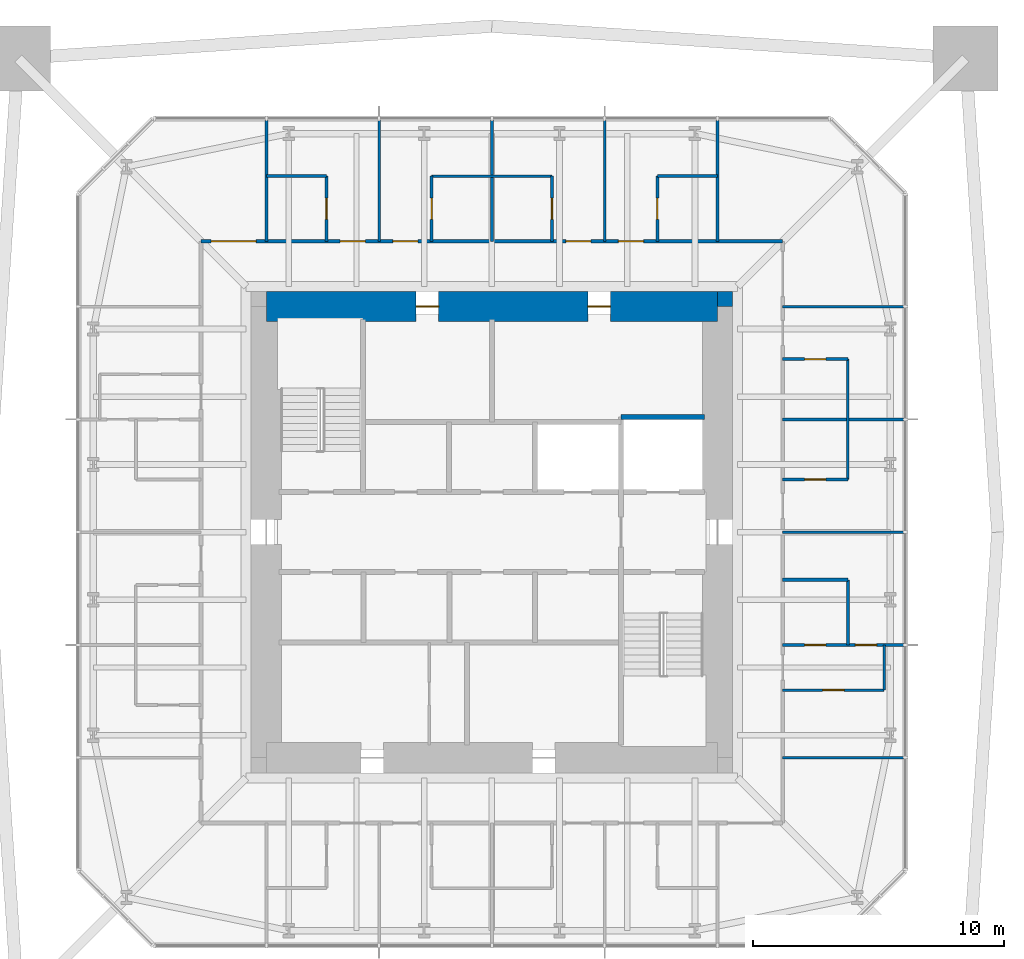
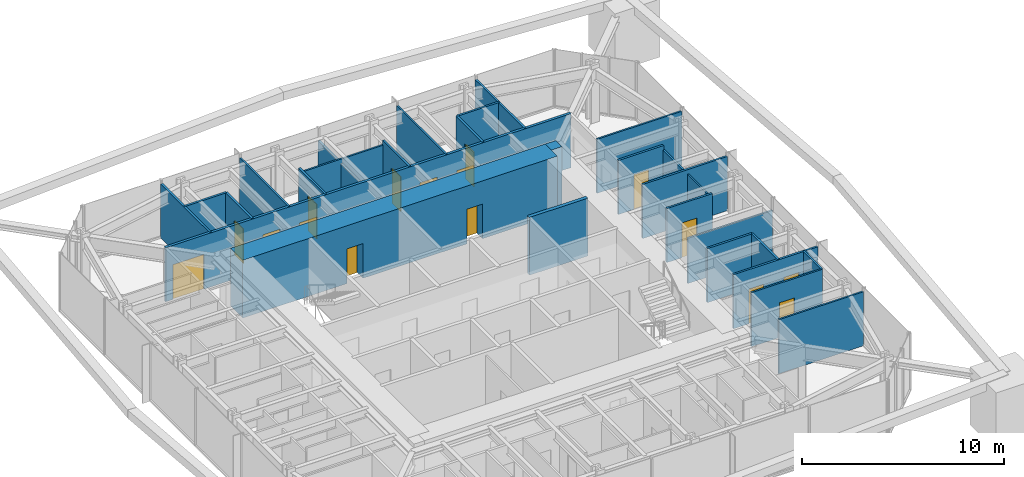
# One storey, part 9 of 11: 28 walls, 16 doors, 16 openings.
"""IFC4 building model written with IfcOpenShell, lengths in metres."""

from ifc_helpers import new_model, si_unit, direction, frame, frame_2d, origin, place, context, subcontext, project, spatial, rectangle, extrude, material, layer, layer_set, type_object, element, fill, save


model = new_model("IFC4")

# Units and contexts
model_context = context("Model", 3, precision=1e-05, world=origin(), true_north=direction((0.0, 1.0)))
body_context = subcontext(model_context, "Body", "Model", "MODEL_VIEW")
ifc_project = project(units=[si_unit("LENGTHUNIT", "METRE"), si_unit("AREAUNIT", "SQUARE_METRE"), si_unit("VOLUMEUNIT", "CUBIC_METRE"), si_unit("PLANEANGLEUNIT", "RADIAN"), si_unit("MASSUNIT", "GRAM", prefix="KILO")], contexts=[model_context])

# Site, building, storey
site_placement = place(None, origin())
site = spatial("IfcSite", under=ifc_project, at=site_placement, CompositionType="ELEMENT")
building_placement = place(site_placement, origin())
building = spatial("IfcBuilding", under=site, at=building_placement, Name="Iwan Alto Co-Living Towers", CompositionType="ELEMENT")
storey_placement = place(building_placement, frame((0.0, 0.0, 222.0)))
storey = spatial("IfcBuildingStorey", under=building, at=storey_placement, Name="L60", CompositionType="ELEMENT", Elevation=222.0)

# Wall, openings, doors
ifc_material_1 = material(Name="Gypsum board")
ifc_layer_1 = layer(ifc_material_1, 0.02490234375, Name="Board", Category="Finish")
ifc_material_2 = material(Name="Steel ASTM A1003 ST33H cold-formed studs", Category="steel")
ifc_layer_2 = layer(ifc_material_2, 0.10009765625, Name="Studs", Category="Framing")
ifc_layer_3 = layer(ifc_material_1, 0.02490234375, Name="Board", Category="Finish")
ifc_layer_set_1 = layer_set([ifc_layer_1, ifc_layer_2, ifc_layer_3], Name="CORRIDOR WALL 150")
wall_type_1 = type_object("IfcWallType", Name="CORRIDOR WALL 150", PredefinedType="PARTITIONING", material=ifc_layer_set_1)
wall_1_placement = place(storey_placement, frame((-11.60009765625, 11.60009765625, 0.0), z_axis=(0.0, 0.0, 1.0), x_axis=(1.0, 0.0, 0.0)))
wall_1 = element("IfcWall", 1, at=wall_1_placement, inside=storey, type_object=wall_type_1, Name="Partition L60", PredefinedType="PARTITIONING", context=body_context, shape_type="SweptSolid", body=[
    extrude(rectangle(XDim=23.2001953125, YDim=0.14990234375, at=frame_2d((11.60009765625, 0.0))), origin(), (0.0, 0.0, 1.0), 3.27001953125),
])
opening_1_placement = place(wall_1_placement, frame((16.64990234375, 0.0, 0.0)))
opening_1 = element("IfcOpeningElement", 2, at=opening_1_placement, cuts=wall_1, Name="Opening D3", PredefinedType="OPENING", context=body_context, shape_type="SweptSolid", body=[
    extrude(rectangle(XDim=1.0, YDim=2.10009765625, at=frame_2d((0.5, 1.050048828125))), frame((0.0, 0.0849609375, 0.0), z_axis=(0.0, -1.0, 0.0), x_axis=(1.0, 0.0, 0.0)), (0.0, 0.0, 1.0), 0.169921875),
])
opening_2_placement = place(wall_1_placement, frame((14.550048828125, 0.0, 0.0)))
opening_2 = element("IfcOpeningElement", 3, at=opening_2_placement, cuts=wall_1, Name="Opening D3", PredefinedType="OPENING", context=body_context, shape_type="SweptSolid", body=[
    extrude(rectangle(XDim=1.0, YDim=2.10009765625, at=frame_2d((0.5, 1.050048828125))), frame((0.0, 0.0849609375, 0.0), z_axis=(0.0, -1.0, 0.0), x_axis=(1.0, 0.0, 0.0)), (0.0, 0.0, 1.0), 0.169921875),
])
opening_3_placement = place(wall_1_placement, frame((7.64990234375, 0.0, 0.0)))
opening_3 = element("IfcOpeningElement", 4, at=opening_3_placement, cuts=wall_1, Name="Opening D3", PredefinedType="OPENING", context=body_context, shape_type="SweptSolid", body=[
    extrude(rectangle(XDim=1.0, YDim=2.10009765625, at=frame_2d((0.5, 1.050048828125))), frame((0.0, 0.0849609375, 0.0), z_axis=(0.0, -1.0, 0.0), x_axis=(1.0, 0.0, 0.0)), (0.0, 0.0, 1.0), 0.169921875),
])
opening_4_placement = place(wall_1_placement, frame((5.550048828125, 0.0, 0.0)))
opening_4 = element("IfcOpeningElement", 5, at=opening_4_placement, cuts=wall_1, Name="Opening D3", PredefinedType="OPENING", context=body_context, shape_type="SweptSolid", body=[
    extrude(rectangle(XDim=1.0, YDim=2.10009765625, at=frame_2d((0.5, 1.050048828125))), frame((0.0, 0.0849609375, 0.0), z_axis=(0.0, -1.0, 0.0), x_axis=(1.0, 0.0, 0.0)), (0.0, 0.0, 1.0), 0.169921875),
])
opening_5_placement = place(wall_1_placement, frame((0.39990234375, 0.0, 0.0)))
opening_5 = element("IfcOpeningElement", 6, at=opening_5_placement, cuts=wall_1, Name="Opening D9", PredefinedType="OPENING", context=body_context, shape_type="SweptSolid", body=[
    extrude(rectangle(XDim=1.800048828125, YDim=2.10009765625, at=frame_2d((0.89990234375, 1.050048828125))), frame((0.0, 0.0849609375, 0.0), z_axis=(0.0, -1.0, 0.0), x_axis=(1.0, 0.0, 0.0)), (0.0, 0.0, 1.0), 0.169921875),
])
ifc_material_3 = material(Name="Steel frame with timber leaf", Category="steel")
door_type_1 = type_object("IfcDoorType", Name="FLAT ENTRANCE DOOR FD30S 1000X2100", OperationType="SINGLE_SWING_LEFT", PredefinedType="DOOR", material=ifc_material_3)
door_1_placement = place(opening_1_placement, origin())
door_1 = element("IfcDoor", 7, at=door_1_placement, inside=storey, type_object=door_type_1, Name="Studio door L60", OperationType="SINGLE_SWING_LEFT", OverallHeight=2.10009765625, OverallWidth=1.0, PredefinedType="DOOR", context=body_context, shape_type="SweptSolid", body=[
    extrude(rectangle(XDim=1.0, YDim=2.10009765625, at=frame_2d((0.5, 1.050048828125))), frame((0.0, 0.02490234375, 0.0), z_axis=(0.0, -1.0, 0.0), x_axis=(1.0, 0.0, 0.0)), (0.0, 0.0, 1.0), 0.050048828125),
])
fill(opening_1, door_1)
door_2_placement = place(opening_2_placement, origin())
door_2 = element("IfcDoor", 8, at=door_2_placement, inside=storey, type_object=door_type_1, Name="Studio door L60", OperationType="SINGLE_SWING_LEFT", OverallHeight=2.10009765625, OverallWidth=1.0, PredefinedType="DOOR", context=body_context, shape_type="SweptSolid", body=[
    extrude(rectangle(XDim=1.0, YDim=2.10009765625, at=frame_2d((0.5, 1.050048828125))), frame((0.0, 0.02490234375, 0.0), z_axis=(0.0, -1.0, 0.0), x_axis=(1.0, 0.0, 0.0)), (0.0, 0.0, 1.0), 0.050048828125),
])
fill(opening_2, door_2)
door_3_placement = place(opening_3_placement, origin())
door_3 = element("IfcDoor", 9, at=door_3_placement, inside=storey, type_object=door_type_1, Name="Studio door L60", OperationType="SINGLE_SWING_LEFT", OverallHeight=2.10009765625, OverallWidth=1.0, PredefinedType="DOOR", context=body_context, shape_type="SweptSolid", body=[
    extrude(rectangle(XDim=1.0, YDim=2.10009765625, at=frame_2d((0.5, 1.050048828125))), frame((0.0, 0.02490234375, 0.0), z_axis=(0.0, -1.0, 0.0), x_axis=(1.0, 0.0, 0.0)), (0.0, 0.0, 1.0), 0.050048828125),
])
fill(opening_3, door_3)
door_4_placement = place(opening_4_placement, origin())
door_4 = element("IfcDoor", 10, at=door_4_placement, inside=storey, type_object=door_type_1, Name="Studio door L60", OperationType="SINGLE_SWING_LEFT", OverallHeight=2.10009765625, OverallWidth=1.0, PredefinedType="DOOR", context=body_context, shape_type="SweptSolid", body=[
    extrude(rectangle(XDim=1.0, YDim=2.10009765625, at=frame_2d((0.5, 1.050048828125))), frame((0.0, 0.02490234375, 0.0), z_axis=(0.0, -1.0, 0.0), x_axis=(1.0, 0.0, 0.0)), (0.0, 0.0, 1.0), 0.050048828125),
])
fill(opening_4, door_4)
ifc_material_4 = material(Name="Steel frame with timber leaf", Category="steel")
door_type_2 = type_object("IfcDoorType", Name="LOUNGE DOOR FD30S 1800X2100", OperationType="DOUBLE_DOOR_SINGLE_SWING", PredefinedType="DOOR", material=ifc_material_4)
door_5_placement = place(opening_5_placement, origin())
door_5 = element("IfcDoor", 11, at=door_5_placement, inside=storey, type_object=door_type_2, Name="Courtyard lounge door L60", OperationType="DOUBLE_DOOR_SINGLE_SWING", OverallHeight=2.10009765625, OverallWidth=1.800048828125, PredefinedType="DOOR", context=body_context, shape_type="SweptSolid", body=[
    extrude(rectangle(XDim=1.800048828125, YDim=2.10009765625, at=frame_2d((0.89990234375, 1.050048828125))), frame((0.0, 0.02490234375, 0.0), z_axis=(0.0, -1.0, 0.0), x_axis=(1.0, 0.0, 0.0)), (0.0, 0.0, 1.0), 0.050048828125),
])
fill(opening_5, door_5)

# Wall
ifc_layer_4 = layer(ifc_material_1, 0.012451171875, Name="Board", Category="Finish")
ifc_layer_5 = layer(ifc_material_2, 0.074951171875, Name="Studs", Category="Framing")
ifc_layer_6 = layer(ifc_material_1, 0.012451171875, Name="Board", Category="Finish")
ifc_layer_set_2 = layer_set([ifc_layer_4, ifc_layer_5, ifc_layer_6], Name="PARTITION 100")
wall_type_2 = type_object("IfcWallType", Name="PARTITION 100", PredefinedType="PARTITIONING", material=ifc_layer_set_2)
wall_2_placement = place(storey_placement, frame((11.60009765625, -9.0, 0.0), z_axis=(0.0, 0.0, 1.0), x_axis=(1.0, 0.0, 0.0)))
element("IfcWall", 12, at=wall_2_placement, inside=storey, type_object=wall_type_2, Name="Partition L60", PredefinedType="PARTITIONING", context=body_context, shape_type="SweptSolid", body=[
    extrude(rectangle(XDim=4.83984375, YDim=0.10009765625, at=frame_2d((2.419921875, 0.0))), origin(), (0.0, 0.0, 1.0), 3.27001953125),
])

# Wall, opening, door
wall_3_placement = place(storey_placement, frame((11.60009765625, -6.300048828125, 0.0), z_axis=(0.0, 0.0, 1.0), x_axis=(1.0, 0.0, 0.0)))
wall_3 = element("IfcWall", 13, at=wall_3_placement, inside=storey, type_object=wall_type_2, Name="Partition L60", PredefinedType="PARTITIONING", context=body_context, shape_type="SweptSolid", body=[
    extrude(rectangle(XDim=4.0498046875, YDim=0.10009765625, at=frame_2d((2.02490234375, 0.0))), origin(), (0.0, 0.0, 1.0), 3.27001953125),
])
opening_6_placement = place(wall_3_placement, frame((1.60009765625, 0.0, 0.0)))
opening_6 = element("IfcOpeningElement", 14, at=opening_6_placement, cuts=wall_3, Name="Opening D2", PredefinedType="OPENING", context=body_context, shape_type="SweptSolid", body=[
    extrude(rectangle(XDim=0.85009765625, YDim=2.10009765625, at=frame_2d((0.425048828125, 1.050048828125))), frame((0.0, 0.06005859375, 0.0), z_axis=(0.0, -1.0, 0.0), x_axis=(1.0, 0.0, 0.0)), (0.0, 0.0, 1.0), 0.1201171875),
])
ifc_material_5 = material(Name="Timber leaf in steel frame", Category="steel")
door_type_3 = type_object("IfcDoorType", Name="ROOM DOOR 850X2100", OperationType="SINGLE_SWING_LEFT", PredefinedType="DOOR", material=ifc_material_5)
door_6_placement = place(opening_6_placement, frame((0.85009765625, 0.0, 0.0), z_axis=(0.0, 0.0, 1.0), x_axis=(-1.0, 0.0, 0.0)))
door_6 = element("IfcDoor", 15, at=door_6_placement, inside=storey, type_object=door_type_3, Name="Apartment foyer door L60", OperationType="SINGLE_SWING_RIGHT", OverallHeight=2.10009765625, OverallWidth=0.85009765625, PredefinedType="DOOR", context=body_context, shape_type="SweptSolid", body=[
    extrude(rectangle(XDim=0.85009765625, YDim=2.10009765625, at=frame_2d((0.425048828125, 1.050048828125))), frame((0.0, 0.02490234375, 0.0), z_axis=(0.0, -1.0, 0.0), x_axis=(1.0, 0.0, 0.0)), (0.0, 0.0, 1.0), 0.050048828125),
])
fill(opening_6, door_6)

# Walls
wall_4_placement = place(storey_placement, frame((11.60009765625, 0.0, 0.0), z_axis=(0.0, 0.0, 1.0), x_axis=(1.0, 0.0, 0.0)))
element("IfcWall", 16, at=wall_4_placement, inside=storey, type_object=wall_type_2, Name="Partition L60", PredefinedType="PARTITIONING", context=body_context, shape_type="SweptSolid", body=[
    extrude(rectangle(XDim=4.83984375, YDim=0.10009765625, at=frame_2d((2.419921875, 0.0))), origin(), (0.0, 0.0, 1.0), 2.736572265625),
])
wall_5_placement = place(storey_placement, frame((11.60009765625, 9.0, 0.0), z_axis=(0.0, 0.0, 1.0), x_axis=(1.0, 0.0, 0.0)))
element("IfcWall", 17, at=wall_5_placement, inside=storey, type_object=wall_type_2, Name="Partition L60", PredefinedType="PARTITIONING", context=body_context, shape_type="SweptSolid", body=[
    extrude(rectangle(XDim=4.83984375, YDim=0.10009765625, at=frame_2d((2.419921875, 0.0))), origin(), (0.0, 0.0, 1.0), 3.27001953125),
])
wall_6_placement = place(storey_placement, frame((-2.39990234375, 14.199951171875, 0.0), z_axis=(0.0, 0.0, 1.0), x_axis=(1.0, 0.0, 0.0)))
element("IfcWall", 18, at=wall_6_placement, inside=storey, type_object=wall_type_2, Name="Partition L60", PredefinedType="PARTITIONING", context=body_context, shape_type="SweptSolid", body=[
    extrude(rectangle(XDim=4.7998046875, YDim=0.10009765625, at=frame_2d((2.39990234375, 0.0))), origin(), (0.0, 0.0, 1.0), 3.0),
])
wall_7_placement = place(storey_placement, frame((15.64990234375, -6.300048828125, 0.0), z_axis=(0.0, 0.0, 1.0), x_axis=(0.0, 1.0, 0.0)))
element("IfcWall", 19, at=wall_7_placement, inside=storey, type_object=wall_type_2, Name="Partition L60", PredefinedType="PARTITIONING", context=body_context, shape_type="SweptSolid", body=[
    extrude(rectangle(XDim=1.800048828125, YDim=0.10009765625, at=frame_2d((0.89990234375, 0.0))), origin(), (0.0, 0.0, 1.0), 3.27001953125),
])
wall_8_placement = place(storey_placement, frame((14.199951171875, 2.10009765625, 0.0), z_axis=(0.0, 0.0, 1.0), x_axis=(0.0, 1.0, 0.0)))
element("IfcWall", 20, at=wall_8_placement, inside=storey, type_object=wall_type_2, Name="Partition L60", PredefinedType="PARTITIONING", context=body_context, shape_type="SweptSolid", body=[
    extrude(rectangle(XDim=4.7998046875, YDim=0.10009765625, at=frame_2d((2.39990234375, 0.0))), origin(), (0.0, 0.0, 1.0), 3.0),
])
for number, where, z_axis, x_axis, name in (
    (21, (4.5, 11.60009765625, 0.0), (0.0, 0.0, 1.0), (0.0, 1.0, 0.0), "Partition L60"),
    (22, (-4.5, 11.60009765625, 0.0), (0.0, 0.0, 1.0), (0.0, 1.0, 0.0), "Partition L60"),
):
    element("IfcWall", number, at=place(storey_placement, frame(where, z_axis=z_axis, x_axis=x_axis)), inside=storey, type_object=wall_type_2, Name=name, PredefinedType="PARTITIONING", context=body_context, shape_type="SweptSolid", body=[
        extrude(rectangle(XDim=4.83984375, YDim=0.10009765625, at=frame_2d((2.419921875, 0.0))), origin(), (0.0, 0.0, 1.0), 3.27001953125),
    ])
ifc_material_6 = material(Name="Concrete f'c 70 MPa", Category="concrete")
ifc_layer_7 = layer(ifc_material_6, 0.199951171875)
ifc_layer_set_3 = layer_set([ifc_layer_7], Name="SHAFT WALL 200")
wall_type_3 = type_object("IfcWallType", Name="SHAFT WALL 200", PredefinedType="SOLIDWALL", material=ifc_layer_set_3)
wall_9_placement = place(storey_placement, frame((5.14990234375, 4.60009765625, 0.0), z_axis=(0.0, 0.0, 1.0), x_axis=(1.0, 0.0, 0.0)))
element("IfcWall", 23, at=wall_9_placement, inside=storey, type_object=wall_type_3, Name="Shaft wall L60", PredefinedType="SOLIDWALL", context=body_context, shape_type="SweptSolid", body=[
    extrude(rectangle(XDim=3.340087890625, YDim=0.199951171875, at=frame_2d((1.669921875, 0.0))), origin(), (0.0, 0.0, 1.0), 3.5),
])
ifc_material_7 = material(Name="Concrete f'c 70 MPa", Category="concrete")
ifc_layer_8 = layer(ifc_material_7, 0.60009765625)
ifc_layer_set_4 = layer_set([ifc_layer_8], Name="T1 CORE CORNER FILL 600")
wall_type_4 = type_object("IfcWallType", Name="T1 CORE CORNER FILL 600", PredefinedType="SOLIDWALL", material=ifc_layer_set_4)
wall_10_placement = place(storey_placement, frame((9.0, 9.300048828125, 0.0), z_axis=(0.0, 0.0, 1.0), x_axis=(1.0, 0.0, 0.0)))
element("IfcWall", 24, at=wall_10_placement, inside=storey, type_object=wall_type_4, Name="T1 core corner NE L60", PredefinedType="SOLIDWALL", context=body_context, shape_type="SweptSolid", body=[
    extrude(rectangle(XDim=0.60009765625, YDim=0.60009765625, at=frame_2d((0.300048828125, 0.0))), origin(), (0.0, 0.0, 1.0), 3.5),
])

# Wall, openings, doors
ifc_material_8 = material(Name="Concrete f'c 70 MPa", Category="concrete")
ifc_layer_9 = layer(ifc_material_8, 1.199951171875)
ifc_layer_set_5 = layer_set([ifc_layer_9], Name="T1 CORE WALL 1200")
wall_type_5 = type_object("IfcWallType", Name="T1 CORE WALL 1200", PredefinedType="SHEAR", material=ifc_layer_set_5)
wall_11_placement = place(storey_placement, frame((9.0, 9.0, 0.0), z_axis=(0.0, 0.0, 1.0), x_axis=(-1.0, 0.0, 0.0)))
wall_11 = element("IfcWall", 25, at=wall_11_placement, inside=storey, type_object=wall_type_5, Name="T1 core wall N L60", PredefinedType="SHEAR", context=body_context, shape_type="SweptSolid", body=[
    extrude(rectangle(XDim=18.0, YDim=1.199951171875, at=frame_2d((9.0, 0.0))), origin(), (0.0, 0.0, 1.0), 3.5),
])
opening_7_placement = place(wall_11_placement, frame((11.125, 0.0, 0.0)))
opening_7 = element("IfcOpeningElement", 26, at=opening_7_placement, cuts=wall_11, Name="Opening D8", PredefinedType="OPENING", context=body_context, shape_type="SweptSolid", body=[
    extrude(rectangle(XDim=0.89990234375, YDim=2.10009765625, at=frame_2d((0.449951171875, 1.050048828125))), frame((0.0, 0.60986328125, 0.0), z_axis=(0.0, -1.0, 0.0), x_axis=(1.0, 0.0, 0.0)), (0.0, 0.0, 1.0), 1.219970703125),
])
opening_8_placement = place(wall_11_placement, frame((4.27490234375, 0.0, 0.0)))
opening_8 = element("IfcOpeningElement", 27, at=opening_8_placement, cuts=wall_11, Name="Opening D8", PredefinedType="OPENING", context=body_context, shape_type="SweptSolid", body=[
    extrude(rectangle(XDim=0.89990234375, YDim=2.10009765625, at=frame_2d((0.449951171875, 1.050048828125))), frame((0.0, 0.60986328125, 0.0), z_axis=(0.0, -1.0, 0.0), x_axis=(1.0, 0.0, 0.0)), (0.0, 0.0, 1.0), 1.219970703125),
])
ifc_material_9 = material(Name="Steel frame with timber leaf", Category="steel")
door_type_4 = type_object("IfcDoorType", Name="RISER DOOR FD120 900X2100", OperationType="SINGLE_SWING_LEFT", PredefinedType="DOOR", material=ifc_material_9)
door_7_placement = place(opening_7_placement, origin())
door_7 = element("IfcDoor", 28, at=door_7_placement, inside=storey, type_object=door_type_4, Name="Electrical riser core door L60", OperationType="SINGLE_SWING_RIGHT", OverallHeight=2.10009765625, OverallWidth=0.89990234375, PredefinedType="DOOR", context=body_context, shape_type="SweptSolid", body=[
    extrude(rectangle(XDim=0.89990234375, YDim=2.10009765625, at=frame_2d((0.449951171875, 1.050048828125))), frame((0.0, 0.02490234375, 0.0), z_axis=(0.0, -1.0, 0.0), x_axis=(1.0, 0.0, 0.0)), (0.0, 0.0, 1.0), 0.050048828125),
])
fill(opening_7, door_7)
door_8_placement = place(opening_8_placement, origin())
door_8 = element("IfcDoor", 29, at=door_8_placement, inside=storey, type_object=door_type_4, Name="Water and drainage riser core door L60", OperationType="SINGLE_SWING_RIGHT", OverallHeight=2.10009765625, OverallWidth=0.89990234375, PredefinedType="DOOR", context=body_context, shape_type="SweptSolid", body=[
    extrude(rectangle(XDim=0.89990234375, YDim=2.10009765625, at=frame_2d((0.449951171875, 1.050048828125))), frame((0.0, 0.02490234375, 0.0), z_axis=(0.0, -1.0, 0.0), x_axis=(1.0, 0.0, 0.0)), (0.0, 0.0, 1.0), 0.050048828125),
])
fill(opening_8, door_8)

ifc_material_10 = material(Name="Cement board")
ifc_layer_10 = layer(ifc_material_10, 0.012451171875, Name="Board", Category="Finish")
ifc_layer_11 = layer(ifc_material_2, 0.094970703125, Name="Studs", Category="Framing")
ifc_layer_12 = layer(ifc_material_10, 0.012451171875, Name="Board", Category="Finish")
ifc_layer_set_6 = layer_set([ifc_layer_10, ifc_layer_11, ifc_layer_12], Name="WET AREA PARTITION 120")
wall_type_6 = type_object("IfcWallType", Name="WET AREA PARTITION 120", PredefinedType="PARTITIONING", material=ifc_layer_set_6)
wall_12_placement = place(storey_placement, frame((11.60009765625, -4.5, 0.0), z_axis=(0.0, 0.0, 1.0), x_axis=(1.0, 0.0, 0.0)))
wall_12 = element("IfcWall", 30, at=wall_12_placement, inside=storey, type_object=wall_type_6, Name="Partition L60", PredefinedType="PARTITIONING", context=body_context, shape_type="SweptSolid", body=[
    extrude(rectangle(XDim=4.83984375, YDim=0.1201171875, at=frame_2d((2.419921875, 0.0))), origin(), (0.0, 0.0, 1.0), 3.27001953125),
])
opening_9_placement = place(wall_12_placement, frame((2.89990234375, 0.0, 0.0)))
opening_9 = element("IfcOpeningElement", 31, at=opening_9_placement, cuts=wall_12, Name="Opening D2", PredefinedType="OPENING", context=body_context, shape_type="SweptSolid", body=[
    extrude(rectangle(XDim=0.85009765625, YDim=2.10009765625, at=frame_2d((0.425048828125, 1.050048828125))), frame((0.0, 0.070068359375, 0.0), z_axis=(0.0, -1.0, 0.0), x_axis=(1.0, 0.0, 0.0)), (0.0, 0.0, 1.0), 0.14013671875),
])
opening_10_placement = place(wall_12_placement, frame((0.875, 0.0, 0.0)))
opening_10 = element("IfcOpeningElement", 32, at=opening_10_placement, cuts=wall_12, Name="Opening D2", PredefinedType="OPENING", context=body_context, shape_type="SweptSolid", body=[
    extrude(rectangle(XDim=0.85009765625, YDim=2.10009765625, at=frame_2d((0.425048828125, 1.050048828125))), frame((0.0, 0.070068359375, 0.0), z_axis=(0.0, -1.0, 0.0), x_axis=(1.0, 0.0, 0.0)), (0.0, 0.0, 1.0), 0.14013671875),
])
door_9_placement = place(opening_9_placement, origin())
door_9 = element("IfcDoor", 33, at=door_9_placement, inside=storey, type_object=door_type_3, Name="Bedroom door L60", OperationType="SINGLE_SWING_LEFT", OverallHeight=2.10009765625, OverallWidth=0.85009765625, PredefinedType="DOOR", context=body_context, shape_type="SweptSolid", body=[
    extrude(rectangle(XDim=0.85009765625, YDim=2.10009765625, at=frame_2d((0.425048828125, 1.050048828125))), frame((0.0, 0.02490234375, 0.0), z_axis=(0.0, -1.0, 0.0), x_axis=(1.0, 0.0, 0.0)), (0.0, 0.0, 1.0), 0.050048828125),
])
fill(opening_9, door_9)
door_10_placement = place(opening_10_placement, origin())
door_10 = element("IfcDoor", 34, at=door_10_placement, inside=storey, type_object=door_type_3, Name="Accessible bathroom door L60", OperationType="SINGLE_SWING_LEFT", OverallHeight=2.10009765625, OverallWidth=0.85009765625, PredefinedType="DOOR", context=body_context, shape_type="SweptSolid", body=[
    extrude(rectangle(XDim=0.85009765625, YDim=2.10009765625, at=frame_2d((0.425048828125, 1.050048828125))), frame((0.0, 0.02490234375, 0.0), z_axis=(0.0, -1.0, 0.0), x_axis=(1.0, 0.0, 0.0)), (0.0, 0.0, 1.0), 0.050048828125),
])
fill(opening_10, door_10)

# Wall
wall_13_placement = place(storey_placement, frame((11.60009765625, -1.89990234375, 0.0), z_axis=(0.0, 0.0, 1.0), x_axis=(1.0, 0.0, 0.0)))
element("IfcWall", 35, at=wall_13_placement, inside=storey, type_object=wall_type_6, Name="Partition L60", PredefinedType="PARTITIONING", context=body_context, shape_type="SweptSolid", body=[
    extrude(rectangle(XDim=2.599853515625, YDim=0.1201171875, at=frame_2d((1.2998046875, 0.0))), origin(), (0.0, 0.0, 1.0), 3.27001953125),
])

# Wall, opening, door
wall_14_placement = place(storey_placement, frame((11.60009765625, 2.10009765625, 0.0), z_axis=(0.0, 0.0, 1.0), x_axis=(1.0, 0.0, 0.0)))
wall_14 = element("IfcWall", 36, at=wall_14_placement, inside=storey, type_object=wall_type_6, Name="Partition L60", PredefinedType="PARTITIONING", context=body_context, shape_type="SweptSolid", body=[
    extrude(rectangle(XDim=2.599853515625, YDim=0.1201171875, at=frame_2d((1.2998046875, 0.0))), origin(), (0.0, 0.0, 1.0), 3.27001953125),
])
opening_11_placement = place(wall_14_placement, frame((0.875, 0.0, 0.0)))
opening_11 = element("IfcOpeningElement", 37, at=opening_11_placement, cuts=wall_14, Name="Opening D2", PredefinedType="OPENING", context=body_context, shape_type="SweptSolid", body=[
    extrude(rectangle(XDim=0.85009765625, YDim=2.10009765625, at=frame_2d((0.425048828125, 1.050048828125))), frame((0.0, 0.070068359375, 0.0), z_axis=(0.0, -1.0, 0.0), x_axis=(1.0, 0.0, 0.0)), (0.0, 0.0, 1.0), 0.14013671875),
])
door_11_placement = place(opening_11_placement, frame((0.85009765625, 0.0, 0.0), z_axis=(0.0, 0.0, 1.0), x_axis=(-1.0, 0.0, 0.0)))
door_11 = element("IfcDoor", 38, at=door_11_placement, inside=storey, type_object=door_type_3, Name="En-suite shower room door L60", OperationType="SINGLE_SWING_RIGHT", OverallHeight=2.10009765625, OverallWidth=0.85009765625, PredefinedType="DOOR", context=body_context, shape_type="SweptSolid", body=[
    extrude(rectangle(XDim=0.85009765625, YDim=2.10009765625, at=frame_2d((0.425048828125, 1.050048828125))), frame((0.0, 0.02490234375, 0.0), z_axis=(0.0, -1.0, 0.0), x_axis=(1.0, 0.0, 0.0)), (0.0, 0.0, 1.0), 0.050048828125),
])
fill(opening_11, door_11)

# Wall
wall_15_placement = place(storey_placement, frame((11.60009765625, 4.5, 0.0), z_axis=(0.0, 0.0, 1.0), x_axis=(1.0, 0.0, 0.0)))
element("IfcWall", 39, at=wall_15_placement, inside=storey, type_object=wall_type_6, Name="Partition L60", PredefinedType="PARTITIONING", context=body_context, shape_type="SweptSolid", body=[
    extrude(rectangle(XDim=4.83984375, YDim=0.1201171875, at=frame_2d((2.419921875, 0.0))), origin(), (0.0, 0.0, 1.0), 3.27001953125),
])

# Wall, opening, door
wall_16_placement = place(storey_placement, frame((11.60009765625, 6.89990234375, 0.0), z_axis=(0.0, 0.0, 1.0), x_axis=(1.0, 0.0, 0.0)))
wall_16 = element("IfcWall", 40, at=wall_16_placement, inside=storey, type_object=wall_type_6, Name="Partition L60", PredefinedType="PARTITIONING", context=body_context, shape_type="SweptSolid", body=[
    extrude(rectangle(XDim=2.599853515625, YDim=0.1201171875, at=frame_2d((1.2998046875, 0.0))), origin(), (0.0, 0.0, 1.0), 3.27001953125),
])
opening_12_placement = place(wall_16_placement, frame((0.875, 0.0, 0.0)))
opening_12 = element("IfcOpeningElement", 41, at=opening_12_placement, cuts=wall_16, Name="Opening D2", PredefinedType="OPENING", context=body_context, shape_type="SweptSolid", body=[
    extrude(rectangle(XDim=0.85009765625, YDim=2.10009765625, at=frame_2d((0.425048828125, 1.050048828125))), frame((0.0, 0.070068359375, 0.0), z_axis=(0.0, -1.0, 0.0), x_axis=(1.0, 0.0, 0.0)), (0.0, 0.0, 1.0), 0.14013671875),
])
door_12_placement = place(opening_12_placement, origin())
door_12 = element("IfcDoor", 42, at=door_12_placement, inside=storey, type_object=door_type_3, Name="En-suite shower room door L60", OperationType="SINGLE_SWING_LEFT", OverallHeight=2.10009765625, OverallWidth=0.85009765625, PredefinedType="DOOR", context=body_context, shape_type="SweptSolid", body=[
    extrude(rectangle(XDim=0.85009765625, YDim=2.10009765625, at=frame_2d((0.425048828125, 1.050048828125))), frame((0.0, 0.02490234375, 0.0), z_axis=(0.0, -1.0, 0.0), x_axis=(1.0, 0.0, 0.0)), (0.0, 0.0, 1.0), 0.050048828125),
])
fill(opening_12, door_12)

# Walls
for number, where, z_axis, x_axis, name in (
    (43, (-9.0, 14.199951171875, 0.0), (0.0, 0.0, 1.0), (1.0, 0.0, 0.0), "Partition L60"),
    (44, (6.60009765625, 14.199951171875, 0.0), (0.0, 0.0, 1.0), (1.0, 0.0, 0.0), "Partition L60"),
):
    element("IfcWall", number, at=place(storey_placement, frame(where, z_axis=z_axis, x_axis=x_axis)), inside=storey, type_object=wall_type_6, Name=name, PredefinedType="PARTITIONING", context=body_context, shape_type="SweptSolid", body=[
        extrude(rectangle(XDim=2.39990234375, YDim=0.1201171875, at=frame_2d((1.199951171875, 0.0))), origin(), (0.0, 0.0, 1.0), 3.27001953125),
    ])
wall_17_placement = place(storey_placement, frame((14.199951171875, -4.5, 0.0), z_axis=(0.0, 0.0, 1.0), x_axis=(0.0, 1.0, 0.0)))
element("IfcWall", 45, at=wall_17_placement, inside=storey, type_object=wall_type_6, Name="Partition L60", PredefinedType="PARTITIONING", context=body_context, shape_type="SweptSolid", body=[
    extrude(rectangle(XDim=2.60009765625, YDim=0.1201171875, at=frame_2d((1.300048828125, 0.0))), origin(), (0.0, 0.0, 1.0), 3.27001953125),
])
wall_18_placement = place(storey_placement, frame((9.0, 11.60009765625, 0.0), z_axis=(0.0, 0.0, 1.0), x_axis=(0.0, 1.0, 0.0)))
element("IfcWall", 46, at=wall_18_placement, inside=storey, type_object=wall_type_6, Name="Partition L60", PredefinedType="PARTITIONING", context=body_context, shape_type="SweptSolid", body=[
    extrude(rectangle(XDim=4.83984375, YDim=0.1201171875, at=frame_2d((2.419921875, 0.0))), origin(), (0.0, 0.0, 1.0), 3.27001953125),
])

# Wall, opening, door
wall_19_placement = place(storey_placement, frame((6.60009765625, 11.60009765625, 0.0), z_axis=(0.0, 0.0, 1.0), x_axis=(0.0, 1.0, 0.0)))
wall_19 = element("IfcWall", 47, at=wall_19_placement, inside=storey, type_object=wall_type_6, Name="Partition L60", PredefinedType="PARTITIONING", context=body_context, shape_type="SweptSolid", body=[
    extrude(rectangle(XDim=2.599853515625, YDim=0.1201171875, at=frame_2d((1.2998046875, 0.0))), origin(), (0.0, 0.0, 1.0), 3.27001953125),
])
opening_13_placement = place(wall_19_placement, frame((0.875, 0.0, 0.0)))
opening_13 = element("IfcOpeningElement", 48, at=opening_13_placement, cuts=wall_19, Name="Opening D2", PredefinedType="OPENING", context=body_context, shape_type="SweptSolid", body=[
    extrude(rectangle(XDim=0.85009765625, YDim=2.10009765625, at=frame_2d((0.425048828125, 1.050048828125))), frame((0.0, 0.070068359375, 0.0), z_axis=(0.0, -1.0, 0.0), x_axis=(1.0, 0.0, 0.0)), (0.0, 0.0, 1.0), 0.14013671875),
])
door_13_placement = place(opening_13_placement, origin())
door_13 = element("IfcDoor", 49, at=door_13_placement, inside=storey, type_object=door_type_3, Name="En-suite shower room door L60", OperationType="SINGLE_SWING_LEFT", OverallHeight=2.10009765625, OverallWidth=0.85009765625, PredefinedType="DOOR", context=body_context, shape_type="SweptSolid", body=[
    extrude(rectangle(XDim=0.85009765625, YDim=2.10009765625, at=frame_2d((0.425048828125, 1.050048828125))), frame((0.0, 0.02490234375, 0.0), z_axis=(0.0, -1.0, 0.0), x_axis=(1.0, 0.0, 0.0)), (0.0, 0.0, 1.0), 0.050048828125),
])
fill(opening_13, door_13)

wall_20_placement = place(storey_placement, frame((2.39990234375, 11.60009765625, 0.0), z_axis=(0.0, 0.0, 1.0), x_axis=(0.0, 1.0, 0.0)))
wall_20 = element("IfcWall", 50, at=wall_20_placement, inside=storey, type_object=wall_type_6, Name="Partition L60", PredefinedType="PARTITIONING", context=body_context, shape_type="SweptSolid", body=[
    extrude(rectangle(XDim=2.599853515625, YDim=0.1201171875, at=frame_2d((1.2998046875, 0.0))), origin(), (0.0, 0.0, 1.0), 3.27001953125),
])
opening_14_placement = place(wall_20_placement, frame((0.875, 0.0, 0.0)))
opening_14 = element("IfcOpeningElement", 51, at=opening_14_placement, cuts=wall_20, Name="Opening D2", PredefinedType="OPENING", context=body_context, shape_type="SweptSolid", body=[
    extrude(rectangle(XDim=0.85009765625, YDim=2.10009765625, at=frame_2d((0.425048828125, 1.050048828125))), frame((0.0, 0.070068359375, 0.0), z_axis=(0.0, -1.0, 0.0), x_axis=(1.0, 0.0, 0.0)), (0.0, 0.0, 1.0), 0.14013671875),
])
door_14_placement = place(opening_14_placement, frame((0.85009765625, 0.0, 0.0), z_axis=(0.0, 0.0, 1.0), x_axis=(-1.0, 0.0, 0.0)))
door_14 = element("IfcDoor", 52, at=door_14_placement, inside=storey, type_object=door_type_3, Name="En-suite shower room door L60", OperationType="SINGLE_SWING_RIGHT", OverallHeight=2.10009765625, OverallWidth=0.85009765625, PredefinedType="DOOR", context=body_context, shape_type="SweptSolid", body=[
    extrude(rectangle(XDim=0.85009765625, YDim=2.10009765625, at=frame_2d((0.425048828125, 1.050048828125))), frame((0.0, 0.02490234375, 0.0), z_axis=(0.0, -1.0, 0.0), x_axis=(1.0, 0.0, 0.0)), (0.0, 0.0, 1.0), 0.050048828125),
])
fill(opening_14, door_14)

# Wall
wall_21_placement = place(storey_placement, frame((0.0, 11.60009765625, 0.0), z_axis=(0.0, 0.0, 1.0), x_axis=(0.0, 1.0, 0.0)))
element("IfcWall", 53, at=wall_21_placement, inside=storey, type_object=wall_type_6, Name="Partition L60", PredefinedType="PARTITIONING", context=body_context, shape_type="SweptSolid", body=[
    extrude(rectangle(XDim=4.83984375, YDim=0.1201171875, at=frame_2d((2.419921875, 0.0))), origin(), (0.0, 0.0, 1.0), 2.736572265625),
])

# Wall, opening, door
wall_22_placement = place(storey_placement, frame((-2.39990234375, 11.60009765625, 0.0), z_axis=(0.0, 0.0, 1.0), x_axis=(0.0, 1.0, 0.0)))
wall_22 = element("IfcWall", 54, at=wall_22_placement, inside=storey, type_object=wall_type_6, Name="Partition L60", PredefinedType="PARTITIONING", context=body_context, shape_type="SweptSolid", body=[
    extrude(rectangle(XDim=2.599853515625, YDim=0.1201171875, at=frame_2d((1.2998046875, 0.0))), origin(), (0.0, 0.0, 1.0), 3.27001953125),
])
opening_15_placement = place(wall_22_placement, frame((0.875, 0.0, 0.0)))
opening_15 = element("IfcOpeningElement", 55, at=opening_15_placement, cuts=wall_22, Name="Opening D2", PredefinedType="OPENING", context=body_context, shape_type="SweptSolid", body=[
    extrude(rectangle(XDim=0.85009765625, YDim=2.10009765625, at=frame_2d((0.425048828125, 1.050048828125))), frame((0.0, 0.070068359375, 0.0), z_axis=(0.0, -1.0, 0.0), x_axis=(1.0, 0.0, 0.0)), (0.0, 0.0, 1.0), 0.14013671875),
])
door_15_placement = place(opening_15_placement, origin())
door_15 = element("IfcDoor", 56, at=door_15_placement, inside=storey, type_object=door_type_3, Name="En-suite shower room door L60", OperationType="SINGLE_SWING_LEFT", OverallHeight=2.10009765625, OverallWidth=0.85009765625, PredefinedType="DOOR", context=body_context, shape_type="SweptSolid", body=[
    extrude(rectangle(XDim=0.85009765625, YDim=2.10009765625, at=frame_2d((0.425048828125, 1.050048828125))), frame((0.0, 0.02490234375, 0.0), z_axis=(0.0, -1.0, 0.0), x_axis=(1.0, 0.0, 0.0)), (0.0, 0.0, 1.0), 0.050048828125),
])
fill(opening_15, door_15)

wall_23_placement = place(storey_placement, frame((-6.60009765625, 11.60009765625, 0.0), z_axis=(0.0, 0.0, 1.0), x_axis=(0.0, 1.0, 0.0)))
wall_23 = element("IfcWall", 57, at=wall_23_placement, inside=storey, type_object=wall_type_6, Name="Partition L60", PredefinedType="PARTITIONING", context=body_context, shape_type="SweptSolid", body=[
    extrude(rectangle(XDim=2.599853515625, YDim=0.1201171875, at=frame_2d((1.2998046875, 0.0))), origin(), (0.0, 0.0, 1.0), 3.27001953125),
])
opening_16_placement = place(wall_23_placement, frame((0.875, 0.0, 0.0)))
opening_16 = element("IfcOpeningElement", 58, at=opening_16_placement, cuts=wall_23, Name="Opening D2", PredefinedType="OPENING", context=body_context, shape_type="SweptSolid", body=[
    extrude(rectangle(XDim=0.85009765625, YDim=2.10009765625, at=frame_2d((0.425048828125, 1.050048828125))), frame((0.0, 0.070068359375, 0.0), z_axis=(0.0, -1.0, 0.0), x_axis=(1.0, 0.0, 0.0)), (0.0, 0.0, 1.0), 0.14013671875),
])
door_16_placement = place(opening_16_placement, frame((0.85009765625, 0.0, 0.0), z_axis=(0.0, 0.0, 1.0), x_axis=(-1.0, 0.0, 0.0)))
door_16 = element("IfcDoor", 59, at=door_16_placement, inside=storey, type_object=door_type_3, Name="En-suite shower room door L60", OperationType="SINGLE_SWING_RIGHT", OverallHeight=2.10009765625, OverallWidth=0.85009765625, PredefinedType="DOOR", context=body_context, shape_type="SweptSolid", body=[
    extrude(rectangle(XDim=0.85009765625, YDim=2.10009765625, at=frame_2d((0.425048828125, 1.050048828125))), frame((0.0, 0.02490234375, 0.0), z_axis=(0.0, -1.0, 0.0), x_axis=(1.0, 0.0, 0.0)), (0.0, 0.0, 1.0), 0.050048828125),
])
fill(opening_16, door_16)

# Wall
wall_24_placement = place(storey_placement, frame((-9.0, 11.60009765625, 0.0), z_axis=(0.0, 0.0, 1.0), x_axis=(0.0, 1.0, 0.0)))
element("IfcWall", 60, at=wall_24_placement, inside=storey, type_object=wall_type_6, Name="Partition L60", PredefinedType="PARTITIONING", context=body_context, shape_type="SweptSolid", body=[
    extrude(rectangle(XDim=4.83984375, YDim=0.1201171875, at=frame_2d((2.419921875, 0.0))), origin(), (0.0, 0.0, 1.0), 3.27001953125),
])

save(model, "model.ifc")
